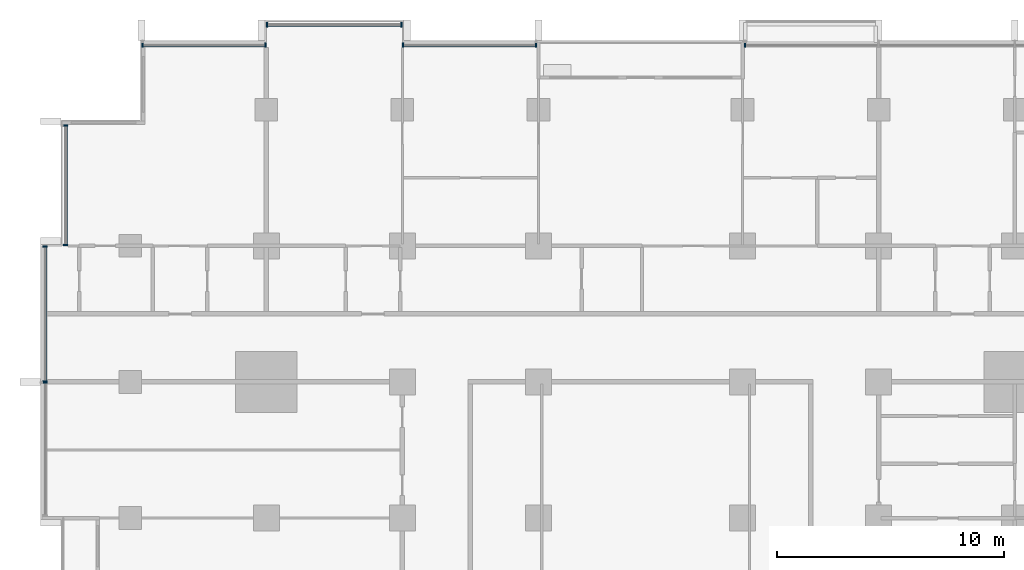
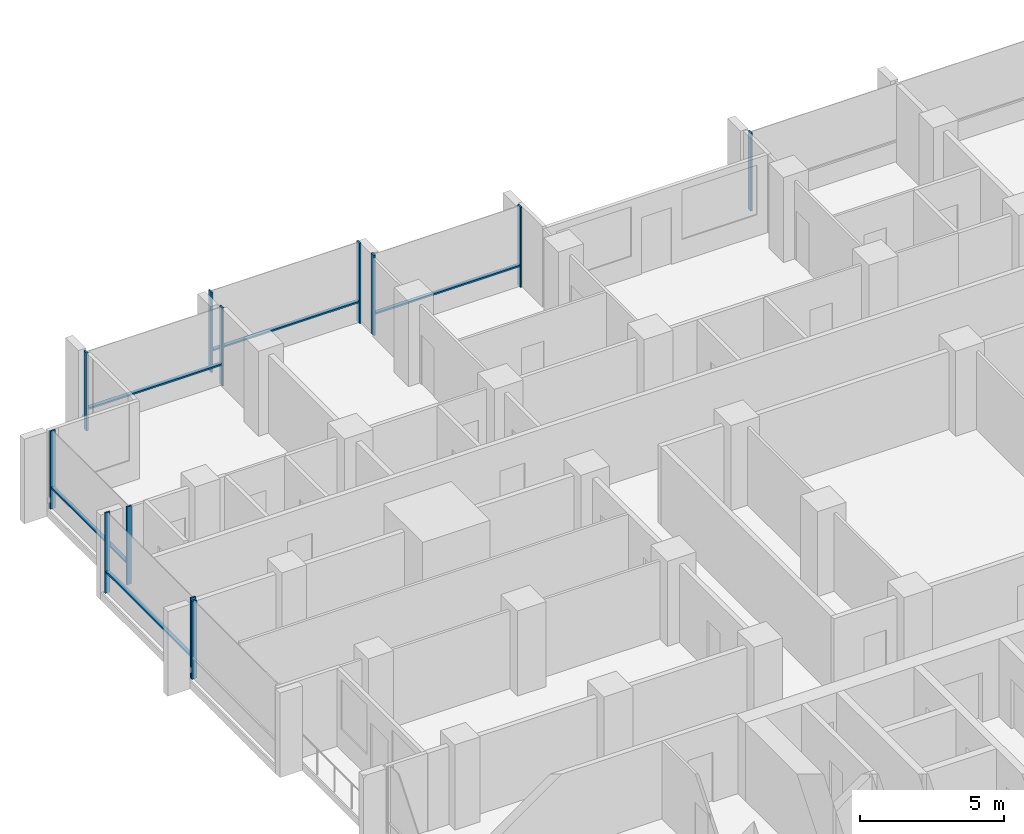
# One storey, part 4 of 17: 17 members, 7 elements without a shape of their own.
"""IFC4 building model written with IfcOpenShell, lengths in metres."""

from ifc_helpers import new_model, si_unit, direction, frame, origin, origin_2d, place, context, subcontext, project, spatial, rectangle, extrude, material, material_profile, profile_set, type_object, element, aggregate, save


model = new_model("IFC4")

# Units and contexts
model_context = context("Model", 3, precision=1e-05, world=origin(), true_north=direction((0.0, 1.0)))
body_context = subcontext(model_context, "Body", "Model", "MODEL_VIEW")
ifc_project = project(units=[si_unit("LENGTHUNIT", "METRE"), si_unit("AREAUNIT", "SQUARE_METRE"), si_unit("VOLUMEUNIT", "CUBIC_METRE"), si_unit("PLANEANGLEUNIT", "RADIAN"), si_unit("MASSUNIT", "GRAM", prefix="KILO")], contexts=[model_context])

# Site, building, storey
site_placement = place(None, origin())
site = spatial("IfcSite", under=ifc_project, at=site_placement, CompositionType="ELEMENT")
building_placement = place(site_placement, origin())
building = spatial("IfcBuilding", under=site, at=building_placement, Name="Finial Court Residences", CompositionType="ELEMENT")
storey_placement = place(building_placement, frame((0.0, 0.0, 91.89990234375)))
storey = spatial("IfcBuildingStorey", under=building, at=storey_placement, Name="L22", CompositionType="ELEMENT", Elevation=91.89990234375)

# Curtain wall, members
ifc_material = material(Name="Bronze anodised aluminium", Category="aluminium")
curtain_wall_type = type_object("IfcCurtainWallType", Name="Unitised curtain wall, lower and middle zones", PredefinedType="NOTDEFINED", material=ifc_material)
curtain_wall_1_placement = place(storey_placement, origin())
curtain_wall_1 = element("IfcCurtainWall", 1, at=curtain_wall_1_placement, inside=storey, type_object=curtain_wall_type, Name="E-L22-CW-N1", PredefinedType="NOTDEFINED")
ifc_material_profile_1 = material_profile(ifc_material, rectangle(XDim=0.199951171875, YDim=0.06494140625, at=origin_2d()), Name="CW1 mullion 65 x 200")
ifc_profile_set_1 = profile_set([ifc_material_profile_1], Name="Bronze anodised aluminium")
member_type_1 = type_object("IfcMemberType", Name="CW1 mullion 65 x 200", PredefinedType="MULLION", material=ifc_profile_set_1)
member_1_placement = place(storey_placement, frame((-21.967529296875, 22.35009765625, 0.0), z_axis=(0.0, 0.0, 1.0), x_axis=(0.0, 1.0, 0.0)))
member_1 = element("IfcMember", 2, at=member_1_placement, type_object=member_type_1, Name="CW1 mullion 1", PredefinedType="MULLION", context=body_context, shape_type="SweptSolid", body=[
    extrude(rectangle(XDim=0.199951171875, YDim=0.06494140625, at=origin_2d()), origin(), (0.0, 0.0, 1.0), 3.300048828125),
])
member_2_placement = place(storey_placement, frame((-16.532470703125, 22.35009765625, 0.0), z_axis=(0.0, 0.0, 1.0), x_axis=(0.0, 1.0, 0.0)))
member_2 = element("IfcMember", 3, at=member_2_placement, type_object=member_type_1, Name="CW1 mullion 2", PredefinedType="MULLION", context=body_context, shape_type="SweptSolid", body=[
    extrude(rectangle(XDim=0.199951171875, YDim=0.06494140625, at=origin_2d()), origin(), (0.0, 0.0, 1.0), 3.300048828125),
])

curtain_wall_2_placement = place(storey_placement, origin())
curtain_wall_2 = element("IfcCurtainWall", 4, at=curtain_wall_2_placement, inside=storey, type_object=curtain_wall_type, Name="E-L22-CW-N2", PredefinedType="NOTDEFINED")
member_3_placement = place(storey_placement, frame((-16.467529296875, 23.25, 0.0), z_axis=(0.0, 0.0, 1.0), x_axis=(0.0, 1.0, 0.0)))
member_3 = element("IfcMember", 5, at=member_3_placement, type_object=member_type_1, Name="CW1 mullion 1", PredefinedType="MULLION", context=body_context, shape_type="SweptSolid", body=[
    extrude(rectangle(XDim=0.199951171875, YDim=0.06494140625, at=origin_2d()), origin(), (0.0, 0.0, 1.0), 3.400146484375),
])
member_4_placement = place(storey_placement, frame((-10.532470703125, 23.25, 0.0), z_axis=(0.0, 0.0, 1.0), x_axis=(0.0, 1.0, 0.0)))
member_4 = element("IfcMember", 6, at=member_4_placement, type_object=member_type_1, Name="CW1 mullion 2", PredefinedType="MULLION", context=body_context, shape_type="SweptSolid", body=[
    extrude(rectangle(XDim=0.199951171875, YDim=0.06494140625, at=origin_2d()), origin(), (0.0, 0.0, 1.0), 3.400146484375),
])

curtain_wall_3_placement = place(storey_placement, origin())
curtain_wall_3 = element("IfcCurtainWall", 7, at=curtain_wall_3_placement, inside=storey, type_object=curtain_wall_type, Name="E-L22-CW-N3", PredefinedType="NOTDEFINED")
member_5_placement = place(storey_placement, frame((-10.467529296875, 22.35009765625, 0.0), z_axis=(0.0, 0.0, 1.0), x_axis=(0.0, 1.0, 0.0)))
member_5 = element("IfcMember", 8, at=member_5_placement, type_object=member_type_1, Name="CW1 mullion 1", PredefinedType="MULLION", context=body_context, shape_type="SweptSolid", body=[
    extrude(rectangle(XDim=0.199951171875, YDim=0.06494140625, at=origin_2d()), origin(), (0.0, 0.0, 1.0), 3.400146484375),
])
member_6_placement = place(storey_placement, frame((-4.607421875, 22.35009765625, 0.0), z_axis=(0.0, 0.0, 1.0), x_axis=(0.0, 1.0, 0.0)))
member_6 = element("IfcMember", 9, at=member_6_placement, type_object=member_type_1, Name="CW1 mullion 2", PredefinedType="MULLION", context=body_context, shape_type="SweptSolid", body=[
    extrude(rectangle(XDim=0.199951171875, YDim=0.06494140625, at=origin_2d()), origin(), (0.0, 0.0, 1.0), 3.400146484375),
])

# Curtain wall, member
curtain_wall_4_placement = place(storey_placement, origin())
curtain_wall_4 = element("IfcCurtainWall", 10, at=curtain_wall_4_placement, inside=storey, type_object=curtain_wall_type, Name="E-L22-CW-N4", PredefinedType="NOTDEFINED")
member_7_placement = place(storey_placement, frame((4.607421875, 22.35009765625, 0.0), z_axis=(0.0, 0.0, 1.0), x_axis=(0.0, 1.0, 0.0)))
member_7 = element("IfcMember", 11, at=member_7_placement, type_object=member_type_1, Name="CW1 mullion 1", PredefinedType="MULLION", context=body_context, shape_type="SweptSolid", body=[
    extrude(rectangle(XDim=0.199951171875, YDim=0.06494140625, at=origin_2d()), origin(), (0.0, 0.0, 1.0), 3.300048828125),
])
aggregate(curtain_wall_4, [member_7])

curtain_wall_5_placement = place(storey_placement, origin())
curtain_wall_5 = element("IfcCurtainWall", 12, at=curtain_wall_5_placement, inside=storey, type_object=curtain_wall_type, Name="E-L22-CW-W13", PredefinedType="NOTDEFINED")
member_8_placement = place(storey_placement, frame((-26.25, 7.467529296875, 0.0), z_axis=(0.0, 0.0, 1.0), x_axis=(-1.0, 0.0, 0.0)))
member_8 = element("IfcMember", 13, at=member_8_placement, type_object=member_type_1, Name="CW1 mullion 2", PredefinedType="MULLION", context=body_context, shape_type="SweptSolid", body=[
    extrude(rectangle(XDim=0.199951171875, YDim=0.06494140625, at=origin_2d()), origin(), (0.0, 0.0, 1.0), 3.300048828125),
])
aggregate(curtain_wall_5, [member_8])

# Curtain wall, members
curtain_wall_6_placement = place(storey_placement, origin())
curtain_wall_6 = element("IfcCurtainWall", 14, at=curtain_wall_6_placement, inside=storey, type_object=curtain_wall_type, Name="E-L22-CW-W14", PredefinedType="NOTDEFINED")
member_9_placement = place(storey_placement, frame((-26.25, 7.532470703125, 0.0), z_axis=(0.0, 0.0, 1.0), x_axis=(-1.0, 0.0, 0.0)))
member_9 = element("IfcMember", 15, at=member_9_placement, type_object=member_type_1, Name="CW1 mullion 1", PredefinedType="MULLION", context=body_context, shape_type="SweptSolid", body=[
    extrude(rectangle(XDim=0.199951171875, YDim=0.06494140625, at=origin_2d()), origin(), (0.0, 0.0, 1.0), 3.400146484375),
])
member_10_placement = place(storey_placement, frame((-26.25, 13.467529296875, 0.0), z_axis=(0.0, 0.0, 1.0), x_axis=(-1.0, 0.0, 0.0)))
member_10 = element("IfcMember", 16, at=member_10_placement, type_object=member_type_1, Name="CW1 mullion 2", PredefinedType="MULLION", context=body_context, shape_type="SweptSolid", body=[
    extrude(rectangle(XDim=0.199951171875, YDim=0.06494140625, at=origin_2d()), origin(), (0.0, 0.0, 1.0), 3.400146484375),
])

curtain_wall_7_placement = place(storey_placement, origin())
curtain_wall_7 = element("IfcCurtainWall", 17, at=curtain_wall_7_placement, inside=storey, type_object=curtain_wall_type, Name="E-L22-CW-W15", PredefinedType="NOTDEFINED")
member_11_placement = place(storey_placement, frame((-25.35009765625, 13.532470703125, 0.0), z_axis=(0.0, 0.0, 1.0), x_axis=(-1.0, 0.0, 0.0)))
member_11 = element("IfcMember", 18, at=member_11_placement, type_object=member_type_1, Name="CW1 mullion 1", PredefinedType="MULLION", context=body_context, shape_type="SweptSolid", body=[
    extrude(rectangle(XDim=0.199951171875, YDim=0.06494140625, at=origin_2d()), origin(), (0.0, 0.0, 1.0), 3.300048828125),
])
member_12_placement = place(storey_placement, frame((-25.35009765625, 18.8173828125, 0.0), z_axis=(0.0, 0.0, 1.0), x_axis=(-1.0, 0.0, 0.0)))
member_12 = element("IfcMember", 19, at=member_12_placement, type_object=member_type_1, Name="CW1 mullion 2", PredefinedType="MULLION", context=body_context, shape_type="SweptSolid", body=[
    extrude(rectangle(XDim=0.199951171875, YDim=0.06494140625, at=origin_2d()), origin(), (0.0, 0.0, 1.0), 3.300048828125),
])

# Member
ifc_material_profile_2 = material_profile(ifc_material, rectangle(XDim=0.14990234375, YDim=0.06494140625, at=origin_2d()), Name="CW1 transom 65 x 150")
ifc_profile_set_2 = profile_set([ifc_material_profile_2], Name="Bronze anodised aluminium")
member_type_2 = type_object("IfcMemberType", Name="CW1 transom 65 x 150", PredefinedType="USERDEFINED", material=ifc_profile_set_2)
member_13_placement = place(storey_placement, frame((-21.93505859375, 22.35009765625, 0.900146484375), z_axis=(1.0, 0.0, 0.0), x_axis=(0.0, 1.0, 0.0)))
member_13 = element("IfcMember", 20, at=member_13_placement, type_object=member_type_2, Name="CW1 transom 1.1", ObjectType="TRANSOM", PredefinedType="USERDEFINED", context=body_context, shape_type="SweptSolid", body=[
    extrude(rectangle(XDim=0.14990234375, YDim=0.06494140625, at=origin_2d()), origin(), (0.0, 0.0, 1.0), 5.3701171875),
])

aggregate(curtain_wall_1, [member_1, member_2, member_13])

member_14_placement = place(storey_placement, frame((-16.43505859375, 23.25, 0.900146484375), z_axis=(1.0, 0.0, 0.0), x_axis=(0.0, 1.0, 0.0)))
member_14 = element("IfcMember", 21, at=member_14_placement, type_object=member_type_2, Name="CW1 transom 1.1", ObjectType="TRANSOM", PredefinedType="USERDEFINED", context=body_context, shape_type="SweptSolid", body=[
    extrude(rectangle(XDim=0.14990234375, YDim=0.06494140625, at=origin_2d()), origin(), (0.0, 0.0, 1.0), 5.8701171875),
])

aggregate(curtain_wall_2, [member_3, member_4, member_14])

member_15_placement = place(storey_placement, frame((-10.43505859375, 22.35009765625, 0.900146484375), z_axis=(1.0, 0.0, 0.0), x_axis=(0.0, 1.0, 0.0)))
member_15 = element("IfcMember", 22, at=member_15_placement, type_object=member_type_2, Name="CW1 transom 1.1", ObjectType="TRANSOM", PredefinedType="USERDEFINED", context=body_context, shape_type="SweptSolid", body=[
    extrude(rectangle(XDim=0.14990234375, YDim=0.06494140625, at=origin_2d()), origin(), (0.0, 0.0, 1.0), 5.795166015625),
])

aggregate(curtain_wall_3, [member_5, member_6, member_15])

member_16_placement = place(storey_placement, frame((-26.25, 7.56494140625, 0.900146484375), z_axis=(0.0, 1.0, 0.0), x_axis=(-1.0, 0.0, 0.0)))
member_16 = element("IfcMember", 23, at=member_16_placement, type_object=member_type_2, Name="CW1 transom 1.1", ObjectType="TRANSOM", PredefinedType="USERDEFINED", context=body_context, shape_type="SweptSolid", body=[
    extrude(rectangle(XDim=0.14990234375, YDim=0.06494140625, at=origin_2d()), origin(), (0.0, 0.0, 1.0), 5.8701171875),
])

aggregate(curtain_wall_6, [member_9, member_10, member_16])

member_17_placement = place(storey_placement, frame((-25.35009765625, 13.56494140625, 0.900146484375), z_axis=(0.0, 1.0, 0.0), x_axis=(-1.0, 0.0, 0.0)))
member_17 = element("IfcMember", 24, at=member_17_placement, type_object=member_type_2, Name="CW1 transom 1.1", ObjectType="TRANSOM", PredefinedType="USERDEFINED", context=body_context, shape_type="SweptSolid", body=[
    extrude(rectangle(XDim=0.14990234375, YDim=0.06494140625, at=origin_2d()), origin(), (0.0, 0.0, 1.0), 5.219970703125),
])

aggregate(curtain_wall_7, [member_11, member_12, member_17])

save(model, "model.ifc")
